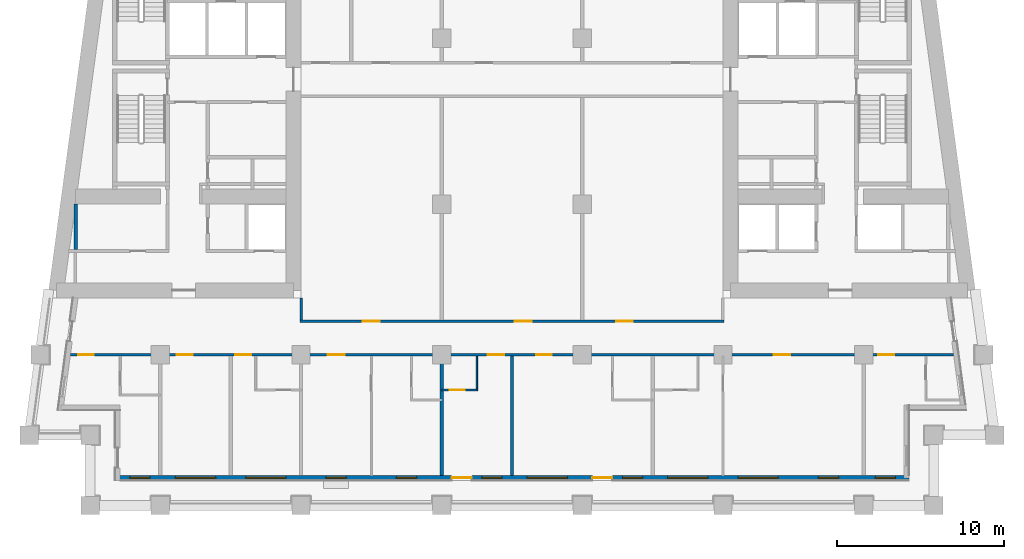
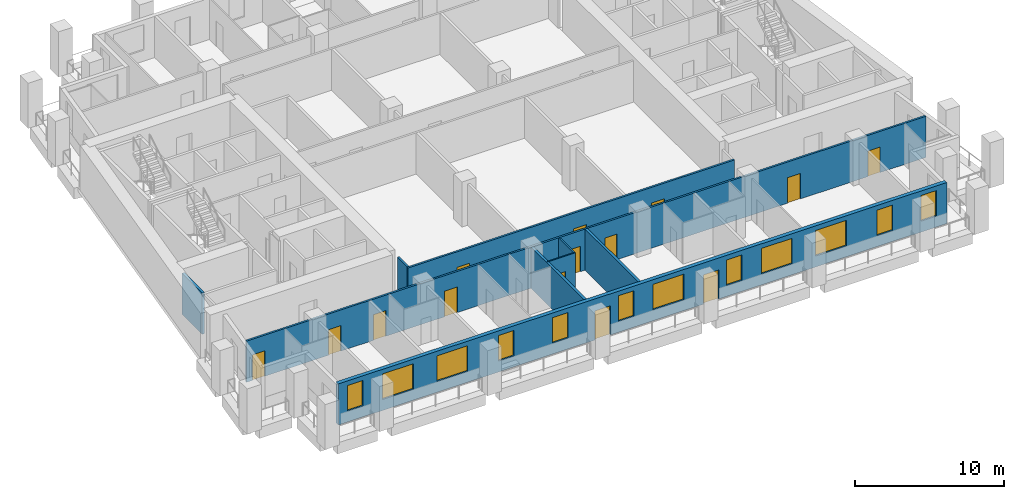
# One storey, part 3 of 13: 14 doors, 12 windows, 9 walls, 26 openings.
"""IFC4 building model written with IfcOpenShell, lengths in metres."""

from ifc_helpers import new_model, si_unit, direction, frame, frame_2d, origin, place, context, subcontext, project, spatial, rectangle, extrude, material, layer, layer_set, type_object, element, fill, save


model = new_model("IFC4")

# Units and contexts
model_context = context("Model", 3, precision=1e-05, world=origin(), true_north=direction((0.0, 1.0)))
body_context = subcontext(model_context, "Body", "Model", "MODEL_VIEW")
ifc_project = project(units=[si_unit("LENGTHUNIT", "METRE"), si_unit("AREAUNIT", "SQUARE_METRE"), si_unit("VOLUMEUNIT", "CUBIC_METRE"), si_unit("PLANEANGLEUNIT", "RADIAN"), si_unit("MASSUNIT", "GRAM", prefix="KILO")], contexts=[model_context])

# Site, building, storey
site_placement = place(None, origin())
site = spatial("IfcSite", under=ifc_project, at=site_placement, CompositionType="ELEMENT")
building_placement = place(site_placement, origin())
building = spatial("IfcBuilding", under=site, at=building_placement, Name="Candeia Pilgrim Tower and Theatre", CompositionType="ELEMENT")
storey_placement = place(building_placement, frame((0.0, 0.0, 170.0)))
storey = spatial("IfcBuildingStorey", under=building, at=storey_placement, Name="L40", CompositionType="ELEMENT", Elevation=170.0)

# Wall, openings, doors, windows
ifc_material_1 = material(Name="Ceramic block masonry", Category="masonry")
ifc_layer_1 = layer(ifc_material_1, 0.300048828125)
ifc_layer_set_1 = layer_set([ifc_layer_1], Name="EW1 glazing-line wall 300")
wall_type_1 = type_object("IfcWallType", Name="EW1 glazing-line wall 300", PredefinedType="SOLIDWALL", material=ifc_layer_set_1)
wall_1_placement = place(storey_placement, frame((89.85009765625, 99.64990234375, 0.0), z_axis=(0.0, 0.0, 1.0), x_axis=(1.0, 0.0, 0.0)))
wall_1 = element("IfcWall", 1, at=wall_1_placement, inside=storey, type_object=wall_type_1, Name="External wall L40-0.0", PredefinedType="SOLIDWALL", context=body_context, shape_type="SweptSolid", body=[
    extrude(rectangle(XDim=47.25, YDim=0.300048828125, at=frame_2d((23.625, 0.0))), origin(), (0.0, 0.0, 1.0), 3.3798828125),
])
opening_1_placement = place(wall_1_placement, frame((0.72509765625, 0.0, 0.89990234375)))
opening_1 = element("IfcOpeningElement", 2, at=opening_1_placement, cuts=wall_1, Name="Opening W-B", PredefinedType="OPENING", context=body_context, shape_type="SweptSolid", body=[
    extrude(rectangle(XDim=1.199951171875, YDim=2.10009765625, at=frame_2d((0.60009765625, 1.050048828125))), frame((0.0, 0.16015625, 0.0), z_axis=(0.0, -1.0, 0.0), x_axis=(1.0, 0.0, 0.0)), (0.0, 0.0, 1.0), 0.320068359375),
])
opening_2_placement = place(wall_1_placement, frame((3.449951171875, 0.0, 0.89990234375)))
opening_2 = element("IfcOpeningElement", 3, at=opening_2_placement, cuts=wall_1, Name="Opening W-A", PredefinedType="OPENING", context=body_context, shape_type="SweptSolid", body=[
    extrude(rectangle(XDim=2.39990234375, YDim=2.10009765625, at=frame_2d((1.199951171875, 1.050048828125))), frame((0.0, 0.16015625, 0.0), z_axis=(0.0, -1.0, 0.0), x_axis=(1.0, 0.0, 0.0)), (0.0, 0.0, 1.0), 0.320068359375),
])
opening_3_placement = place(wall_1_placement, frame((7.64990234375, 0.0, 0.89990234375)))
opening_3 = element("IfcOpeningElement", 4, at=opening_3_placement, cuts=wall_1, Name="Opening W-A", PredefinedType="OPENING", context=body_context, shape_type="SweptSolid", body=[
    extrude(rectangle(XDim=2.39990234375, YDim=2.10009765625, at=frame_2d((1.199951171875, 1.050048828125))), frame((0.0, 0.16015625, 0.0), z_axis=(0.0, -1.0, 0.0), x_axis=(1.0, 0.0, 0.0)), (0.0, 0.0, 1.0), 0.320068359375),
])
opening_4_placement = place(wall_1_placement, frame((12.449951171875, 0.0, 0.89990234375)))
opening_4 = element("IfcOpeningElement", 5, at=opening_4_placement, cuts=wall_1, Name="Opening W-B", PredefinedType="OPENING", context=body_context, shape_type="SweptSolid", body=[
    extrude(rectangle(XDim=1.199951171875, YDim=2.10009765625, at=frame_2d((0.60009765625, 1.050048828125))), frame((0.0, 0.16015625, 0.0), z_axis=(0.0, -1.0, 0.0), x_axis=(1.0, 0.0, 0.0)), (0.0, 0.0, 1.0), 0.320068359375),
])
opening_5_placement = place(wall_1_placement, frame((16.64990234375, 0.0, 0.89990234375)))
opening_5 = element("IfcOpeningElement", 6, at=opening_5_placement, cuts=wall_1, Name="Opening W-B", PredefinedType="OPENING", context=body_context, shape_type="SweptSolid", body=[
    extrude(rectangle(XDim=1.199951171875, YDim=2.10009765625, at=frame_2d((0.60009765625, 1.050048828125))), frame((0.0, 0.16015625, 0.0), z_axis=(0.0, -1.0, 0.0), x_axis=(1.0, 0.0, 0.0)), (0.0, 0.0, 1.0), 0.320068359375),
])
opening_6_placement = place(wall_1_placement, frame((19.949951171875, 0.0, 0.0)))
opening_6 = element("IfcOpeningElement", 7, at=opening_6_placement, cuts=wall_1, Name="Opening L40-ED382", PredefinedType="OPENING", context=body_context, shape_type="SweptSolid", body=[
    extrude(rectangle(XDim=1.199951171875, YDim=2.39990234375, at=frame_2d((0.60009765625, 1.199951171875))), frame((0.0, 0.16015625, 0.0), z_axis=(0.0, -1.0, 0.0), x_axis=(1.0, 0.0, 0.0)), (0.0, 0.0, 1.0), 0.320068359375),
])
opening_7_placement = place(wall_1_placement, frame((21.75, 0.0, 0.89990234375)))
opening_7 = element("IfcOpeningElement", 8, at=opening_7_placement, cuts=wall_1, Name="Opening W-B", PredefinedType="OPENING", context=body_context, shape_type="SweptSolid", body=[
    extrude(rectangle(XDim=1.199951171875, YDim=2.10009765625, at=frame_2d((0.60009765625, 1.050048828125))), frame((0.0, 0.16015625, 0.0), z_axis=(0.0, -1.0, 0.0), x_axis=(1.0, 0.0, 0.0)), (0.0, 0.0, 1.0), 0.320068359375),
])
opening_8_placement = place(wall_1_placement, frame((24.449951171875, 0.0, 0.89990234375)))
opening_8 = element("IfcOpeningElement", 9, at=opening_8_placement, cuts=wall_1, Name="Opening W-A", PredefinedType="OPENING", context=body_context, shape_type="SweptSolid", body=[
    extrude(rectangle(XDim=2.39990234375, YDim=2.10009765625, at=frame_2d((1.199951171875, 1.050048828125))), frame((0.0, 0.16015625, 0.0), z_axis=(0.0, -1.0, 0.0), x_axis=(1.0, 0.0, 0.0)), (0.0, 0.0, 1.0), 0.320068359375),
])
opening_9_placement = place(wall_1_placement, frame((28.35009765625, 0.0, 0.0)))
opening_9 = element("IfcOpeningElement", 10, at=opening_9_placement, cuts=wall_1, Name="Opening L40-ED383", PredefinedType="OPENING", context=body_context, shape_type="SweptSolid", body=[
    extrude(rectangle(XDim=1.199951171875, YDim=2.39990234375, at=frame_2d((0.60009765625, 1.199951171875))), frame((0.0, 0.16015625, 0.0), z_axis=(0.0, -1.0, 0.0), x_axis=(1.0, 0.0, 0.0)), (0.0, 0.0, 1.0), 0.320068359375),
])
opening_10_placement = place(wall_1_placement, frame((30.14990234375, 0.0, 0.89990234375)))
opening_10 = element("IfcOpeningElement", 11, at=opening_10_placement, cuts=wall_1, Name="Opening W-B", PredefinedType="OPENING", context=body_context, shape_type="SweptSolid", body=[
    extrude(rectangle(XDim=1.199951171875, YDim=2.10009765625, at=frame_2d((0.60009765625, 1.050048828125))), frame((0.0, 0.16015625, 0.0), z_axis=(0.0, -1.0, 0.0), x_axis=(1.0, 0.0, 0.0)), (0.0, 0.0, 1.0), 0.320068359375),
])
opening_11_placement = place(wall_1_placement, frame((32.85009765625, 0.0, 0.89990234375)))
opening_11 = element("IfcOpeningElement", 12, at=opening_11_placement, cuts=wall_1, Name="Opening W-A", PredefinedType="OPENING", context=body_context, shape_type="SweptSolid", body=[
    extrude(rectangle(XDim=2.39990234375, YDim=2.10009765625, at=frame_2d((1.199951171875, 1.050048828125))), frame((0.0, 0.16015625, 0.0), z_axis=(0.0, -1.0, 0.0), x_axis=(1.0, 0.0, 0.0)), (0.0, 0.0, 1.0), 0.320068359375),
])
opening_12_placement = place(wall_1_placement, frame((37.050048828125, 0.0, 0.89990234375)))
opening_12 = element("IfcOpeningElement", 13, at=opening_12_placement, cuts=wall_1, Name="Opening W-A", PredefinedType="OPENING", context=body_context, shape_type="SweptSolid", body=[
    extrude(rectangle(XDim=2.39990234375, YDim=2.10009765625, at=frame_2d((1.199951171875, 1.050048828125))), frame((0.0, 0.16015625, 0.0), z_axis=(0.0, -1.0, 0.0), x_axis=(1.0, 0.0, 0.0)), (0.0, 0.0, 1.0), 0.320068359375),
])
opening_13_placement = place(wall_1_placement, frame((41.85009765625, 0.0, 0.89990234375)))
opening_13 = element("IfcOpeningElement", 14, at=opening_13_placement, cuts=wall_1, Name="Opening W-B", PredefinedType="OPENING", context=body_context, shape_type="SweptSolid", body=[
    extrude(rectangle(XDim=1.199951171875, YDim=2.10009765625, at=frame_2d((0.60009765625, 1.050048828125))), frame((0.0, 0.16015625, 0.0), z_axis=(0.0, -1.0, 0.0), x_axis=(1.0, 0.0, 0.0)), (0.0, 0.0, 1.0), 0.320068359375),
])
opening_14_placement = place(wall_1_placement, frame((45.25, 0.0, 0.89990234375)))
opening_14 = element("IfcOpeningElement", 15, at=opening_14_placement, cuts=wall_1, Name="Opening W-B", PredefinedType="OPENING", context=body_context, shape_type="SweptSolid", body=[
    extrude(rectangle(XDim=1.199951171875, YDim=2.10009765625, at=frame_2d((0.60009765625, 1.050048828125))), frame((0.0, 0.16015625, 0.0), z_axis=(0.0, -1.0, 0.0), x_axis=(1.0, 0.0, 0.0)), (0.0, 0.0, 1.0), 0.320068359375),
])
ifc_material_2 = material(Name="Aluminium framed glazed door", Category="aluminium")
door_type_1 = type_object("IfcDoorType", Name="Loggia door 1200x2400", OperationType="DOUBLE_DOOR_SINGLE_SWING", PredefinedType="DOOR", material=ifc_material_2)
door_1_placement = place(opening_6_placement, origin())
door_1 = element("IfcDoor", 16, at=door_1_placement, inside=storey, type_object=door_type_1, Name="Loggia door L40-ED382", OperationType="DOUBLE_DOOR_SINGLE_SWING", OverallHeight=2.39990234375, OverallWidth=1.199951171875, PredefinedType="DOOR", context=body_context, shape_type="SweptSolid", body=[
    extrude(rectangle(XDim=1.199951171875, YDim=2.39990234375, at=frame_2d((0.60009765625, 1.199951171875))), frame((0.0, 0.02490234375, 0.0), z_axis=(0.0, -1.0, 0.0), x_axis=(1.0, 0.0, 0.0)), (0.0, 0.0, 1.0), 0.050048828125),
])
fill(opening_6, door_1)
door_2_placement = place(opening_9_placement, origin())
door_2 = element("IfcDoor", 17, at=door_2_placement, inside=storey, type_object=door_type_1, Name="Loggia door L40-ED383", OperationType="DOUBLE_DOOR_SINGLE_SWING", OverallHeight=2.39990234375, OverallWidth=1.199951171875, PredefinedType="DOOR", context=body_context, shape_type="SweptSolid", body=[
    extrude(rectangle(XDim=1.199951171875, YDim=2.39990234375, at=frame_2d((0.60009765625, 1.199951171875))), frame((0.0, 0.02490234375, 0.0), z_axis=(0.0, -1.0, 0.0), x_axis=(1.0, 0.0, 0.0)), (0.0, 0.0, 1.0), 0.050048828125),
])
fill(opening_9, door_2)
ifc_material_3 = material(Name="Aluminium framed double glazing", Category="aluminium")
window_type_1 = type_object("IfcWindowType", Name="W-A window 2400x2100", PartitioningType="DOUBLE_PANEL_VERTICAL", PredefinedType="WINDOW", material=ifc_material_3)
window_1_placement = place(opening_2_placement, origin())
window_1 = element("IfcWindow", 18, at=window_1_placement, inside=storey, type_object=window_type_1, Name="Window W-A L40", OverallHeight=2.10009765625, OverallWidth=2.39990234375, PartitioningType="SINGLE_PANEL", PredefinedType="WINDOW", context=body_context, shape_type="SweptSolid", body=[
    extrude(rectangle(XDim=2.39990234375, YDim=2.10009765625, at=frame_2d((1.199951171875, 1.050048828125))), frame((0.0, 0.030029296875, 0.0), z_axis=(0.0, -1.0, 0.0), x_axis=(1.0, 0.0, 0.0)), (0.0, 0.0, 1.0), 0.06005859375),
])
fill(opening_2, window_1)
window_2_placement = place(opening_3_placement, origin())
window_2 = element("IfcWindow", 19, at=window_2_placement, inside=storey, type_object=window_type_1, Name="Window W-A L40", OverallHeight=2.10009765625, OverallWidth=2.39990234375, PartitioningType="SINGLE_PANEL", PredefinedType="WINDOW", context=body_context, shape_type="SweptSolid", body=[
    extrude(rectangle(XDim=2.39990234375, YDim=2.10009765625, at=frame_2d((1.199951171875, 1.050048828125))), frame((0.0, 0.030029296875, 0.0), z_axis=(0.0, -1.0, 0.0), x_axis=(1.0, 0.0, 0.0)), (0.0, 0.0, 1.0), 0.06005859375),
])
fill(opening_3, window_2)
window_3_placement = place(opening_8_placement, origin())
window_3 = element("IfcWindow", 20, at=window_3_placement, inside=storey, type_object=window_type_1, Name="Window W-A L40", OverallHeight=2.10009765625, OverallWidth=2.39990234375, PartitioningType="SINGLE_PANEL", PredefinedType="WINDOW", context=body_context, shape_type="SweptSolid", body=[
    extrude(rectangle(XDim=2.39990234375, YDim=2.10009765625, at=frame_2d((1.199951171875, 1.050048828125))), frame((0.0, 0.030029296875, 0.0), z_axis=(0.0, -1.0, 0.0), x_axis=(1.0, 0.0, 0.0)), (0.0, 0.0, 1.0), 0.06005859375),
])
fill(opening_8, window_3)
window_4_placement = place(opening_11_placement, origin())
window_4 = element("IfcWindow", 21, at=window_4_placement, inside=storey, type_object=window_type_1, Name="Window W-A L40", OverallHeight=2.10009765625, OverallWidth=2.39990234375, PartitioningType="SINGLE_PANEL", PredefinedType="WINDOW", context=body_context, shape_type="SweptSolid", body=[
    extrude(rectangle(XDim=2.39990234375, YDim=2.10009765625, at=frame_2d((1.199951171875, 1.050048828125))), frame((0.0, 0.030029296875, 0.0), z_axis=(0.0, -1.0, 0.0), x_axis=(1.0, 0.0, 0.0)), (0.0, 0.0, 1.0), 0.06005859375),
])
fill(opening_11, window_4)
window_5_placement = place(opening_12_placement, origin())
window_5 = element("IfcWindow", 22, at=window_5_placement, inside=storey, type_object=window_type_1, Name="Window W-A L40", OverallHeight=2.10009765625, OverallWidth=2.39990234375, PartitioningType="SINGLE_PANEL", PredefinedType="WINDOW", context=body_context, shape_type="SweptSolid", body=[
    extrude(rectangle(XDim=2.39990234375, YDim=2.10009765625, at=frame_2d((1.199951171875, 1.050048828125))), frame((0.0, 0.030029296875, 0.0), z_axis=(0.0, -1.0, 0.0), x_axis=(1.0, 0.0, 0.0)), (0.0, 0.0, 1.0), 0.06005859375),
])
fill(opening_12, window_5)
window_type_2 = type_object("IfcWindowType", Name="W-B window 1200x2100", PartitioningType="SINGLE_PANEL", PredefinedType="WINDOW", material=ifc_material_3)
window_6_placement = place(opening_1_placement, origin())
window_6 = element("IfcWindow", 23, at=window_6_placement, inside=storey, type_object=window_type_2, Name="Window W-B L40", OverallHeight=2.10009765625, OverallWidth=1.199951171875, PartitioningType="SINGLE_PANEL", PredefinedType="WINDOW", context=body_context, shape_type="SweptSolid", body=[
    extrude(rectangle(XDim=1.199951171875, YDim=2.10009765625, at=frame_2d((0.60009765625, 1.050048828125))), frame((0.0, 0.030029296875, 0.0), z_axis=(0.0, -1.0, 0.0), x_axis=(1.0, 0.0, 0.0)), (0.0, 0.0, 1.0), 0.06005859375),
])
fill(opening_1, window_6)
window_7_placement = place(opening_4_placement, origin())
window_7 = element("IfcWindow", 24, at=window_7_placement, inside=storey, type_object=window_type_2, Name="Window W-B L40", OverallHeight=2.10009765625, OverallWidth=1.199951171875, PartitioningType="SINGLE_PANEL", PredefinedType="WINDOW", context=body_context, shape_type="SweptSolid", body=[
    extrude(rectangle(XDim=1.199951171875, YDim=2.10009765625, at=frame_2d((0.60009765625, 1.050048828125))), frame((0.0, 0.030029296875, 0.0), z_axis=(0.0, -1.0, 0.0), x_axis=(1.0, 0.0, 0.0)), (0.0, 0.0, 1.0), 0.06005859375),
])
fill(opening_4, window_7)
window_8_placement = place(opening_5_placement, origin())
window_8 = element("IfcWindow", 25, at=window_8_placement, inside=storey, type_object=window_type_2, Name="Window W-B L40", OverallHeight=2.10009765625, OverallWidth=1.199951171875, PartitioningType="SINGLE_PANEL", PredefinedType="WINDOW", context=body_context, shape_type="SweptSolid", body=[
    extrude(rectangle(XDim=1.199951171875, YDim=2.10009765625, at=frame_2d((0.60009765625, 1.050048828125))), frame((0.0, 0.030029296875, 0.0), z_axis=(0.0, -1.0, 0.0), x_axis=(1.0, 0.0, 0.0)), (0.0, 0.0, 1.0), 0.06005859375),
])
fill(opening_5, window_8)
window_9_placement = place(opening_7_placement, origin())
window_9 = element("IfcWindow", 26, at=window_9_placement, inside=storey, type_object=window_type_2, Name="Window W-B L40", OverallHeight=2.10009765625, OverallWidth=1.199951171875, PartitioningType="SINGLE_PANEL", PredefinedType="WINDOW", context=body_context, shape_type="SweptSolid", body=[
    extrude(rectangle(XDim=1.199951171875, YDim=2.10009765625, at=frame_2d((0.60009765625, 1.050048828125))), frame((0.0, 0.030029296875, 0.0), z_axis=(0.0, -1.0, 0.0), x_axis=(1.0, 0.0, 0.0)), (0.0, 0.0, 1.0), 0.06005859375),
])
fill(opening_7, window_9)
window_10_placement = place(opening_10_placement, origin())
window_10 = element("IfcWindow", 27, at=window_10_placement, inside=storey, type_object=window_type_2, Name="Window W-B L40", OverallHeight=2.10009765625, OverallWidth=1.199951171875, PartitioningType="SINGLE_PANEL", PredefinedType="WINDOW", context=body_context, shape_type="SweptSolid", body=[
    extrude(rectangle(XDim=1.199951171875, YDim=2.10009765625, at=frame_2d((0.60009765625, 1.050048828125))), frame((0.0, 0.030029296875, 0.0), z_axis=(0.0, -1.0, 0.0), x_axis=(1.0, 0.0, 0.0)), (0.0, 0.0, 1.0), 0.06005859375),
])
fill(opening_10, window_10)
window_11_placement = place(opening_13_placement, origin())
window_11 = element("IfcWindow", 28, at=window_11_placement, inside=storey, type_object=window_type_2, Name="Window W-B L40", OverallHeight=2.10009765625, OverallWidth=1.199951171875, PartitioningType="SINGLE_PANEL", PredefinedType="WINDOW", context=body_context, shape_type="SweptSolid", body=[
    extrude(rectangle(XDim=1.199951171875, YDim=2.10009765625, at=frame_2d((0.60009765625, 1.050048828125))), frame((0.0, 0.030029296875, 0.0), z_axis=(0.0, -1.0, 0.0), x_axis=(1.0, 0.0, 0.0)), (0.0, 0.0, 1.0), 0.06005859375),
])
fill(opening_13, window_11)
window_12_placement = place(opening_14_placement, origin())
window_12 = element("IfcWindow", 29, at=window_12_placement, inside=storey, type_object=window_type_2, Name="Window W-B L40", OverallHeight=2.10009765625, OverallWidth=1.199951171875, PartitioningType="SINGLE_PANEL", PredefinedType="WINDOW", context=body_context, shape_type="SweptSolid", body=[
    extrude(rectangle(XDim=1.199951171875, YDim=2.10009765625, at=frame_2d((0.60009765625, 1.050048828125))), frame((0.0, 0.030029296875, 0.0), z_axis=(0.0, -1.0, 0.0), x_axis=(1.0, 0.0, 0.0)), (0.0, 0.0, 1.0), 0.06005859375),
])
fill(opening_14, window_12)

# Wall, opening, door
ifc_material_4 = material(Name="Gypsum board partition on steel studs", Category="steel")
ifc_layer_2 = layer(ifc_material_4, 0.10009765625)
ifc_layer_set_2 = layer_set([ifc_layer_2], Name="PW-100 room partition")
wall_type_2 = type_object("IfcWallType", Name="PW-100 room partition", PredefinedType="PARTITIONING", material=ifc_layer_set_2)
wall_2_placement = place(storey_placement, frame((109.199951171875, 104.89990234375, 0.0), z_axis=(0.0, 0.0, 1.0), x_axis=(1.0, 0.0, 0.0)))
wall_2 = element("IfcWall", 30, at=wall_2_placement, inside=storey, type_object=wall_type_2, Name="Room partition L40-006", PredefinedType="PARTITIONING", context=body_context, shape_type="SweptSolid", body=[
    extrude(rectangle(XDim=2.150146484375, YDim=0.10009765625, at=frame_2d((1.0751953125, 0.0))), origin(), (0.0, 0.0, 1.0), 3.3798828125),
])
opening_15_placement = place(wall_2_placement, frame((0.47509765625, 0.0, 0.0)))
opening_15 = element("IfcOpeningElement", 31, at=opening_15_placement, cuts=wall_2, Name="Opening L40-D023", PredefinedType="OPENING", context=body_context, shape_type="SweptSolid", body=[
    extrude(rectangle(XDim=0.89990234375, YDim=2.10009765625, at=frame_2d((0.449951171875, 1.050048828125))), frame((0.0, 0.06005859375, 0.0), z_axis=(0.0, -1.0, 0.0), x_axis=(1.0, 0.0, 0.0)), (0.0, 0.0, 1.0), 0.1201171875),
])
ifc_material_5 = material(Name="Timber door leaf", Category="wood")
door_type_2 = type_object("IfcDoorType", Name="D-900", OperationType="NOTDEFINED", PredefinedType="DOOR", material=ifc_material_5)
door_3_placement = place(opening_15_placement, origin())
door_3 = element("IfcDoor", 32, at=door_3_placement, inside=storey, type_object=door_type_2, Name="Door L40-D023", OperationType="SINGLE_SWING_LEFT", OverallHeight=2.10009765625, OverallWidth=0.89990234375, PredefinedType="DOOR", context=body_context, shape_type="SweptSolid", body=[
    extrude(rectangle(XDim=0.89990234375, YDim=2.10009765625, at=frame_2d((0.449951171875, 1.050048828125))), frame((0.0, 0.02490234375, 0.0), z_axis=(0.0, -1.0, 0.0), x_axis=(1.0, 0.0, 0.0)), (0.0, 0.0, 1.0), 0.050048828125),
])
fill(opening_15, door_3)

# Wall
wall_3_placement = place(storey_placement, frame((111.300048828125, 104.949951171875, 0.0), z_axis=(0.0, 0.0, 1.0), x_axis=(0.0, 1.0, 0.0)))
element("IfcWall", 33, at=wall_3_placement, inside=storey, type_object=wall_type_2, Name="Room partition L40-082", PredefinedType="PARTITIONING", context=body_context, shape_type="SweptSolid", body=[
    extrude(rectangle(XDim=1.97509765625, YDim=0.10009765625, at=frame_2d((0.987548828125, 0.0))), origin(), (0.0, 0.0, 1.0), 3.3798828125),
])

# Wall, openings, doors
ifc_layer_3 = layer(ifc_material_4, 0.14990234375)
ifc_layer_set_3 = layer_set([ifc_layer_3], Name="PW-150 unit wall")
wall_type_3 = type_object("IfcWallType", Name="PW-150 unit wall", PredefinedType="PARTITIONING", material=ifc_layer_set_3)
wall_4_placement = place(storey_placement, frame((87.017578125, 107.0, 0.0), z_axis=(0.0, 0.0, 1.0), x_axis=(1.0, 0.0, 0.0)))
wall_4 = element("IfcWall", 34, at=wall_4_placement, inside=storey, type_object=wall_type_3, Name="Unit wall L40-008", PredefinedType="PARTITIONING", context=body_context, shape_type="SweptSolid", body=[
    extrude(rectangle(XDim=52.7646484375, YDim=0.14990234375, at=frame_2d((26.38232421875, 0.0))), origin(), (0.0, 0.0, 1.0), 3.3798828125),
])
opening_16_placement = place(wall_4_placement, frame((0.46337890625, 0.0, 0.0)))
opening_16 = element("IfcOpeningElement", 35, at=opening_16_placement, cuts=wall_4, Name="Opening L40-D014", PredefinedType="OPENING", context=body_context, shape_type="SweptSolid", body=[
    extrude(rectangle(XDim=0.949951171875, YDim=2.10009765625, at=frame_2d((0.47509765625, 1.050048828125))), frame((0.0, 0.0849609375, 0.0), z_axis=(0.0, -1.0, 0.0), x_axis=(1.0, 0.0, 0.0)), (0.0, 0.0, 1.0), 0.169921875),
])
opening_17_placement = place(wall_4_placement, frame((6.369384765625, 0.0, 0.0)))
opening_17 = element("IfcOpeningElement", 36, at=opening_17_placement, cuts=wall_4, Name="Opening L40-D016", PredefinedType="OPENING", context=body_context, shape_type="SweptSolid", body=[
    extrude(rectangle(XDim=0.949951171875, YDim=2.10009765625, at=frame_2d((0.47509765625, 1.050048828125))), frame((0.0, 0.0849609375, 0.0), z_axis=(0.0, -1.0, 0.0), x_axis=(1.0, 0.0, 0.0)), (0.0, 0.0, 1.0), 0.169921875),
])
opening_18_placement = place(wall_4_placement, frame((9.857421875, 0.0, 0.0)))
opening_18 = element("IfcOpeningElement", 37, at=opening_18_placement, cuts=wall_4, Name="Opening L40-D017", PredefinedType="OPENING", context=body_context, shape_type="SweptSolid", body=[
    extrude(rectangle(XDim=0.949951171875, YDim=2.10009765625, at=frame_2d((0.47509765625, 1.050048828125))), frame((0.0, 0.0849609375, 0.0), z_axis=(0.0, -1.0, 0.0), x_axis=(1.0, 0.0, 0.0)), (0.0, 0.0, 1.0), 0.169921875),
])
opening_19_placement = place(wall_4_placement, frame((15.38232421875, 0.0, 0.0)))
opening_19 = element("IfcOpeningElement", 38, at=opening_19_placement, cuts=wall_4, Name="Opening L40-D019", PredefinedType="OPENING", context=body_context, shape_type="SweptSolid", body=[
    extrude(rectangle(XDim=1.0, YDim=2.10009765625, at=frame_2d((0.5, 1.050048828125))), frame((0.0, 0.0849609375, 0.0), z_axis=(0.0, -1.0, 0.0), x_axis=(1.0, 0.0, 0.0)), (0.0, 0.0, 1.0), 0.169921875),
])
opening_20_placement = place(wall_4_placement, frame((24.932373046875, 0.0, 0.0)))
opening_20 = element("IfcOpeningElement", 39, at=opening_20_placement, cuts=wall_4, Name="Opening L40-D022", PredefinedType="OPENING", context=body_context, shape_type="SweptSolid", body=[
    extrude(rectangle(XDim=1.0, YDim=2.10009765625, at=frame_2d((0.5, 1.050048828125))), frame((0.0, 0.0849609375, 0.0), z_axis=(0.0, -1.0, 0.0), x_axis=(1.0, 0.0, 0.0)), (0.0, 0.0, 1.0), 0.169921875),
])
opening_21_placement = place(wall_4_placement, frame((27.8193359375, 0.0, 0.0)))
opening_21 = element("IfcOpeningElement", 40, at=opening_21_placement, cuts=wall_4, Name="Opening L40-D024", PredefinedType="OPENING", context=body_context, shape_type="SweptSolid", body=[
    extrude(rectangle(XDim=0.949951171875, YDim=2.10009765625, at=frame_2d((0.47509765625, 1.050048828125))), frame((0.0, 0.0849609375, 0.0), z_axis=(0.0, -1.0, 0.0), x_axis=(1.0, 0.0, 0.0)), (0.0, 0.0, 1.0), 0.169921875),
])
opening_22_placement = place(wall_4_placement, frame((42.01220703125, 0.0, 0.0)))
opening_22 = element("IfcOpeningElement", 41, at=opening_22_placement, cuts=wall_4, Name="Opening L40-D026", PredefinedType="OPENING", context=body_context, shape_type="SweptSolid", body=[
    extrude(rectangle(XDim=1.0, YDim=2.10009765625, at=frame_2d((0.5, 1.050048828125))), frame((0.0, 0.0849609375, 0.0), z_axis=(0.0, -1.0, 0.0), x_axis=(1.0, 0.0, 0.0)), (0.0, 0.0, 1.0), 0.169921875),
])
opening_23_placement = place(wall_4_placement, frame((48.249267578125, 0.0, 0.0)))
opening_23 = element("IfcOpeningElement", 42, at=opening_23_placement, cuts=wall_4, Name="Opening L40-D029", PredefinedType="OPENING", context=body_context, shape_type="SweptSolid", body=[
    extrude(rectangle(XDim=0.949951171875, YDim=2.10009765625, at=frame_2d((0.47509765625, 1.050048828125))), frame((0.0, 0.0849609375, 0.0), z_axis=(0.0, -1.0, 0.0), x_axis=(1.0, 0.0, 0.0)), (0.0, 0.0, 1.0), 0.169921875),
])
ifc_material_6 = material(Name="Steel fire door set", Category="steel")
door_type_3 = type_object("IfcDoorType", Name="D-1000-FD30S", OperationType="NOTDEFINED", PredefinedType="DOOR", material=ifc_material_6)
door_4_placement = place(opening_19_placement, origin())
door_4 = element("IfcDoor", 43, at=door_4_placement, inside=storey, type_object=door_type_3, Name="Door L40-D019", OperationType="SINGLE_SWING_LEFT", OverallHeight=2.10009765625, OverallWidth=1.0, PredefinedType="DOOR", context=body_context, shape_type="SweptSolid", body=[
    extrude(rectangle(XDim=1.0, YDim=2.10009765625, at=frame_2d((0.5, 1.050048828125))), frame((0.0, 0.02490234375, 0.0), z_axis=(0.0, -1.0, 0.0), x_axis=(1.0, 0.0, 0.0)), (0.0, 0.0, 1.0), 0.050048828125),
])
fill(opening_19, door_4)
door_5_placement = place(opening_20_placement, origin())
door_5 = element("IfcDoor", 44, at=door_5_placement, inside=storey, type_object=door_type_3, Name="Door L40-D022", OperationType="SINGLE_SWING_RIGHT", OverallHeight=2.10009765625, OverallWidth=1.0, PredefinedType="DOOR", context=body_context, shape_type="SweptSolid", body=[
    extrude(rectangle(XDim=1.0, YDim=2.10009765625, at=frame_2d((0.5, 1.050048828125))), frame((0.0, 0.02490234375, 0.0), z_axis=(0.0, -1.0, 0.0), x_axis=(1.0, 0.0, 0.0)), (0.0, 0.0, 1.0), 0.050048828125),
])
fill(opening_20, door_5)
door_6_placement = place(opening_22_placement, origin())
door_6 = element("IfcDoor", 45, at=door_6_placement, inside=storey, type_object=door_type_3, Name="Door L40-D026", OperationType="SINGLE_SWING_RIGHT", OverallHeight=2.10009765625, OverallWidth=1.0, PredefinedType="DOOR", context=body_context, shape_type="SweptSolid", body=[
    extrude(rectangle(XDim=1.0, YDim=2.10009765625, at=frame_2d((0.5, 1.050048828125))), frame((0.0, 0.02490234375, 0.0), z_axis=(0.0, -1.0, 0.0), x_axis=(1.0, 0.0, 0.0)), (0.0, 0.0, 1.0), 0.050048828125),
])
fill(opening_22, door_6)
door_type_4 = type_object("IfcDoorType", Name="D-950-FD30S", OperationType="NOTDEFINED", PredefinedType="DOOR", material=ifc_material_6)
door_7_placement = place(opening_16_placement, origin())
door_7 = element("IfcDoor", 46, at=door_7_placement, inside=storey, type_object=door_type_4, Name="Door L40-D014", OperationType="SINGLE_SWING_RIGHT", OverallHeight=2.10009765625, OverallWidth=0.949951171875, PredefinedType="DOOR", context=body_context, shape_type="SweptSolid", body=[
    extrude(rectangle(XDim=0.949951171875, YDim=2.10009765625, at=frame_2d((0.47509765625, 1.050048828125))), frame((0.0, 0.02490234375, 0.0), z_axis=(0.0, -1.0, 0.0), x_axis=(1.0, 0.0, 0.0)), (0.0, 0.0, 1.0), 0.050048828125),
])
fill(opening_16, door_7)
door_8_placement = place(opening_17_placement, origin())
door_8 = element("IfcDoor", 47, at=door_8_placement, inside=storey, type_object=door_type_4, Name="Door L40-D016", OperationType="SINGLE_SWING_RIGHT", OverallHeight=2.10009765625, OverallWidth=0.949951171875, PredefinedType="DOOR", context=body_context, shape_type="SweptSolid", body=[
    extrude(rectangle(XDim=0.949951171875, YDim=2.10009765625, at=frame_2d((0.47509765625, 1.050048828125))), frame((0.0, 0.02490234375, 0.0), z_axis=(0.0, -1.0, 0.0), x_axis=(1.0, 0.0, 0.0)), (0.0, 0.0, 1.0), 0.050048828125),
])
fill(opening_17, door_8)
door_9_placement = place(opening_18_placement, origin())
door_9 = element("IfcDoor", 48, at=door_9_placement, inside=storey, type_object=door_type_4, Name="Door L40-D017", OperationType="SINGLE_SWING_LEFT", OverallHeight=2.10009765625, OverallWidth=0.949951171875, PredefinedType="DOOR", context=body_context, shape_type="SweptSolid", body=[
    extrude(rectangle(XDim=0.949951171875, YDim=2.10009765625, at=frame_2d((0.47509765625, 1.050048828125))), frame((0.0, 0.02490234375, 0.0), z_axis=(0.0, -1.0, 0.0), x_axis=(1.0, 0.0, 0.0)), (0.0, 0.0, 1.0), 0.050048828125),
])
fill(opening_18, door_9)
door_10_placement = place(opening_21_placement, origin())
door_10 = element("IfcDoor", 49, at=door_10_placement, inside=storey, type_object=door_type_4, Name="Door L40-D024", OperationType="SINGLE_SWING_RIGHT", OverallHeight=2.10009765625, OverallWidth=0.949951171875, PredefinedType="DOOR", context=body_context, shape_type="SweptSolid", body=[
    extrude(rectangle(XDim=0.949951171875, YDim=2.10009765625, at=frame_2d((0.47509765625, 1.050048828125))), frame((0.0, 0.02490234375, 0.0), z_axis=(0.0, -1.0, 0.0), x_axis=(1.0, 0.0, 0.0)), (0.0, 0.0, 1.0), 0.050048828125),
])
fill(opening_21, door_10)
door_11_placement = place(opening_23_placement, origin())
door_11 = element("IfcDoor", 50, at=door_11_placement, inside=storey, type_object=door_type_4, Name="Door L40-D029", OperationType="SINGLE_SWING_LEFT", OverallHeight=2.10009765625, OverallWidth=0.949951171875, PredefinedType="DOOR", context=body_context, shape_type="SweptSolid", body=[
    extrude(rectangle(XDim=0.949951171875, YDim=2.10009765625, at=frame_2d((0.47509765625, 1.050048828125))), frame((0.0, 0.02490234375, 0.0), z_axis=(0.0, -1.0, 0.0), x_axis=(1.0, 0.0, 0.0)), (0.0, 0.0, 1.0), 0.050048828125),
])
fill(opening_23, door_11)

wall_5_placement = place(storey_placement, frame((100.72509765625, 109.0, 0.0), z_axis=(0.0, 0.0, 1.0), x_axis=(1.0, 0.0, 0.0)))
wall_5 = element("IfcWall", 51, at=wall_5_placement, inside=storey, type_object=wall_type_3, Name="Unit wall L40-009", PredefinedType="PARTITIONING", context=body_context, shape_type="SweptSolid", body=[
    extrude(rectangle(XDim=25.349853515625, YDim=0.14990234375, at=frame_2d((12.6748046875, 0.0))), origin(), (0.0, 0.0, 1.0), 3.3798828125),
])
opening_24_placement = place(wall_5_placement, frame((3.77490234375, 0.0, 0.0)))
opening_24 = element("IfcOpeningElement", 52, at=opening_24_placement, cuts=wall_5, Name="Opening L40-D044", PredefinedType="OPENING", context=body_context, shape_type="SweptSolid", body=[
    extrude(rectangle(XDim=1.0, YDim=2.10009765625, at=frame_2d((0.5, 1.050048828125))), frame((0.0, 0.0849609375, 0.0), z_axis=(0.0, -1.0, 0.0), x_axis=(1.0, 0.0, 0.0)), (0.0, 0.0, 1.0), 0.169921875),
])
opening_25_placement = place(wall_5_placement, frame((12.844970703125, 0.0, 0.0)))
opening_25 = element("IfcOpeningElement", 53, at=opening_25_placement, cuts=wall_5, Name="Opening L40-D045", PredefinedType="OPENING", context=body_context, shape_type="SweptSolid", body=[
    extrude(rectangle(XDim=1.0, YDim=2.10009765625, at=frame_2d((0.5, 1.050048828125))), frame((0.0, 0.0849609375, 0.0), z_axis=(0.0, -1.0, 0.0), x_axis=(1.0, 0.0, 0.0)), (0.0, 0.0, 1.0), 0.169921875),
])
opening_26_placement = place(wall_5_placement, frame((18.89990234375, 0.0, 0.0)))
opening_26 = element("IfcOpeningElement", 54, at=opening_26_placement, cuts=wall_5, Name="Opening L40-D046", PredefinedType="OPENING", context=body_context, shape_type="SweptSolid", body=[
    extrude(rectangle(XDim=1.0, YDim=2.10009765625, at=frame_2d((0.5, 1.050048828125))), frame((0.0, 0.0849609375, 0.0), z_axis=(0.0, -1.0, 0.0), x_axis=(1.0, 0.0, 0.0)), (0.0, 0.0, 1.0), 0.169921875),
])
door_12_placement = place(opening_24_placement, origin())
door_12 = element("IfcDoor", 55, at=door_12_placement, inside=storey, type_object=door_type_3, Name="Door L40-D044", OperationType="SINGLE_SWING_RIGHT", OverallHeight=2.10009765625, OverallWidth=1.0, PredefinedType="DOOR", context=body_context, shape_type="SweptSolid", body=[
    extrude(rectangle(XDim=1.0, YDim=2.10009765625, at=frame_2d((0.5, 1.050048828125))), frame((0.0, 0.02490234375, 0.0), z_axis=(0.0, -1.0, 0.0), x_axis=(1.0, 0.0, 0.0)), (0.0, 0.0, 1.0), 0.050048828125),
])
fill(opening_24, door_12)
door_13_placement = place(opening_25_placement, origin())
door_13 = element("IfcDoor", 56, at=door_13_placement, inside=storey, type_object=door_type_3, Name="Door L40-D045", OperationType="SINGLE_SWING_LEFT", OverallHeight=2.10009765625, OverallWidth=1.0, PredefinedType="DOOR", context=body_context, shape_type="SweptSolid", body=[
    extrude(rectangle(XDim=1.0, YDim=2.10009765625, at=frame_2d((0.5, 1.050048828125))), frame((0.0, 0.02490234375, 0.0), z_axis=(0.0, -1.0, 0.0), x_axis=(1.0, 0.0, 0.0)), (0.0, 0.0, 1.0), 0.050048828125),
])
fill(opening_25, door_13)
door_14_placement = place(opening_26_placement, origin())
door_14 = element("IfcDoor", 57, at=door_14_placement, inside=storey, type_object=door_type_3, Name="Door L40-D046", OperationType="SINGLE_SWING_RIGHT", OverallHeight=2.10009765625, OverallWidth=1.0, PredefinedType="DOOR", context=body_context, shape_type="SweptSolid", body=[
    extrude(rectangle(XDim=1.0, YDim=2.10009765625, at=frame_2d((0.5, 1.050048828125))), frame((0.0, 0.02490234375, 0.0), z_axis=(0.0, -1.0, 0.0), x_axis=(1.0, 0.0, 0.0)), (0.0, 0.0, 1.0), 0.050048828125),
])
fill(opening_26, door_14)

# Walls
wall_6_placement = place(storey_placement, frame((100.800048828125, 109.074951171875, 0.0), z_axis=(0.0, 0.0, 1.0), x_axis=(0.0, 1.0, 0.0)))
element("IfcWall", 58, at=wall_6_placement, inside=storey, type_object=wall_type_3, Name="Unit wall L40-071", PredefinedType="PARTITIONING", context=body_context, shape_type="SweptSolid", body=[
    extrude(rectangle(XDim=1.324951171875, YDim=0.14990234375, at=frame_2d((0.66259765625, 0.0))), origin(), (0.0, 0.0, 1.0), 3.3798828125),
])
ifc_layer_4 = layer(ifc_material_4, 0.199951171875)
ifc_layer_set_4 = layer_set([ifc_layer_4], Name="PW-200 party wall")
wall_type_4 = type_object("IfcWallType", Name="PW-200 party wall", PredefinedType="PARTITIONING", material=ifc_layer_set_4)
for number, where, z_axis, x_axis, name in (
    (59, (109.199951171875, 99.7900390625, 0.0), (0.0, 0.0, 1.0), (0.0, 1.0, 0.0), "Party wall L40-078"),
    (60, (113.39990234375, 99.7900390625, 0.0), (0.0, 0.0, 1.0), (0.0, 1.0, 0.0), "Party wall L40-085"),
):
    element("IfcWall", number, at=place(storey_placement, frame(where, z_axis=z_axis, x_axis=x_axis)), inside=storey, type_object=wall_type_4, Name=name, PredefinedType="PARTITIONING", context=body_context, shape_type="SweptSolid", body=[
        extrude(rectangle(XDim=7.135009765625, YDim=0.199951171875, at=frame_2d((3.5673828125, 0.0))), origin(), (0.0, 0.0, 1.0), 3.3798828125),
    ])
ifc_material_7 = material(Name="Concrete C40/50", Category="concrete")
ifc_layer_5 = layer(ifc_material_7, 0.199951171875)
ifc_layer_set_5 = layer_set([ifc_layer_5], Name="SW-200 shaft wall")
wall_type_5 = type_object("IfcWallType", Name="SW-200 shaft wall", PredefinedType="PARTITIONING", material=ifc_layer_set_5)
wall_7_placement = place(storey_placement, frame((87.350341796875, 113.300048828125, 0.0), z_axis=(0.0, 0.0, 1.0), x_axis=(0.0, 1.0, 0.0)))
element("IfcWall", 61, at=wall_7_placement, inside=storey, type_object=wall_type_5, Name="Shaft wall L40-047", PredefinedType="PARTITIONING", context=body_context, shape_type="SweptSolid", body=[
    extrude(rectangle(XDim=2.699951171875, YDim=0.199951171875, at=frame_2d((1.35009765625, 0.0))), origin(), (0.0, 0.0, 1.0), 3.3798828125),
])

save(model, "model.ifc")
